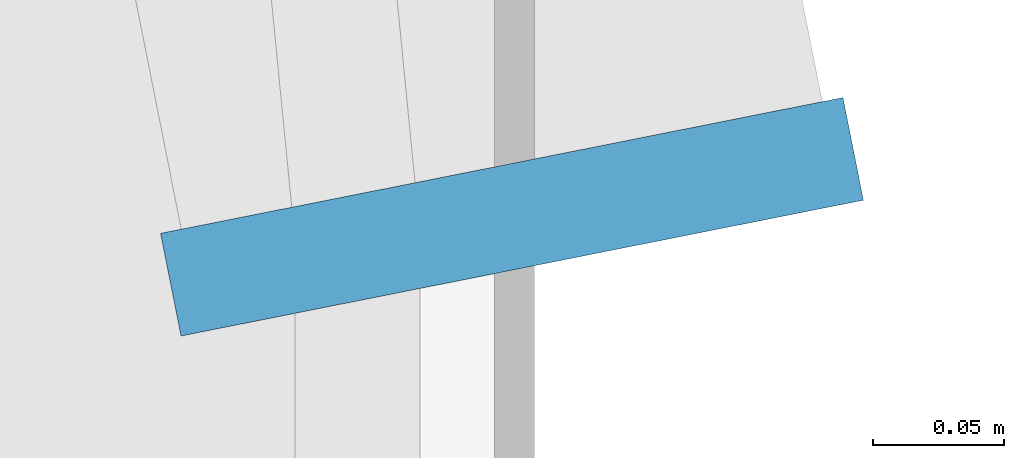
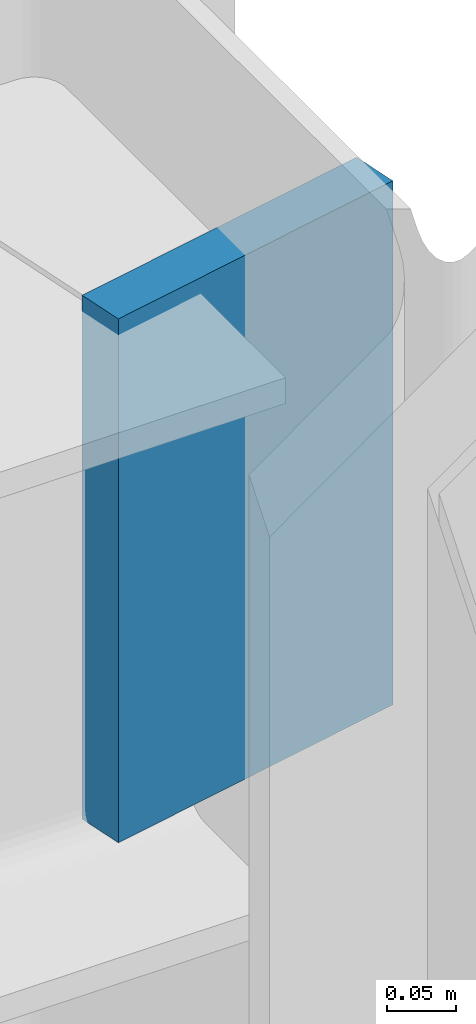
# One storey, part 81 of 105: 1 discrete accessory.
"""IFC4 building model written with IfcOpenShell, lengths in metres."""

from ifc_helpers import new_model, si_unit, direction, frame, origin, origin_2d, place, context, subcontext, project, spatial, rectangle, extrude, material, element, save


model = new_model("IFC4")

# Units and contexts
model_context = context("Model", 3, precision=1e-05, world=origin(), true_north=direction((0.0, 1.0)))
body_context = subcontext(model_context, "Body", "Model", "MODEL_VIEW")
ifc_project = project(units=[si_unit("LENGTHUNIT", "METRE"), si_unit("AREAUNIT", "SQUARE_METRE"), si_unit("VOLUMEUNIT", "CUBIC_METRE"), si_unit("PLANEANGLEUNIT", "RADIAN"), si_unit("MASSUNIT", "GRAM", prefix="KILO")], contexts=[model_context])

# Site, building, storey
site_placement = place(None, origin())
site = spatial("IfcSite", under=ifc_project, at=site_placement, CompositionType="ELEMENT")
building_placement = place(site_placement, origin())
building = spatial("IfcBuilding", under=site, at=building_placement, Name="Marlcrest Central Station", CompositionType="ELEMENT")
storey_placement = place(building_placement, frame((0.0, 0.0, 15.0)))
storey = spatial("IfcBuildingStorey", under=building, at=storey_placement, Name="L03", CompositionType="ELEMENT", Elevation=15.0)

# Discrete accessory
ifc_material = material(Name="Steel S355", Category="steel")
discrete_accessory_placement = place(storey_placement, frame((128.9951171875, 110.5244140625, 4.10009765625), z_axis=(0.19517056122, -0.980769316421, 0.0), x_axis=(0.980769316421, 0.19517056122, 0.0)))
element("IfcDiscreteAccessory", 1, at=discrete_accessory_placement, inside=storey, material=ifc_material, Name="endcap-bm-SP-02-L03-01525-e", ObjectType="END_CAP_PLATE", PredefinedType="BRACKET", context=body_context, shape_type="SweptSolid", body=[
    extrude(rectangle(XDim=0.26611328125, YDim=0.466064453125, at=origin_2d()), origin(), (0.0, 0.0, 1.0), 0.0400390625),
])

save(model, "model.ifc")
